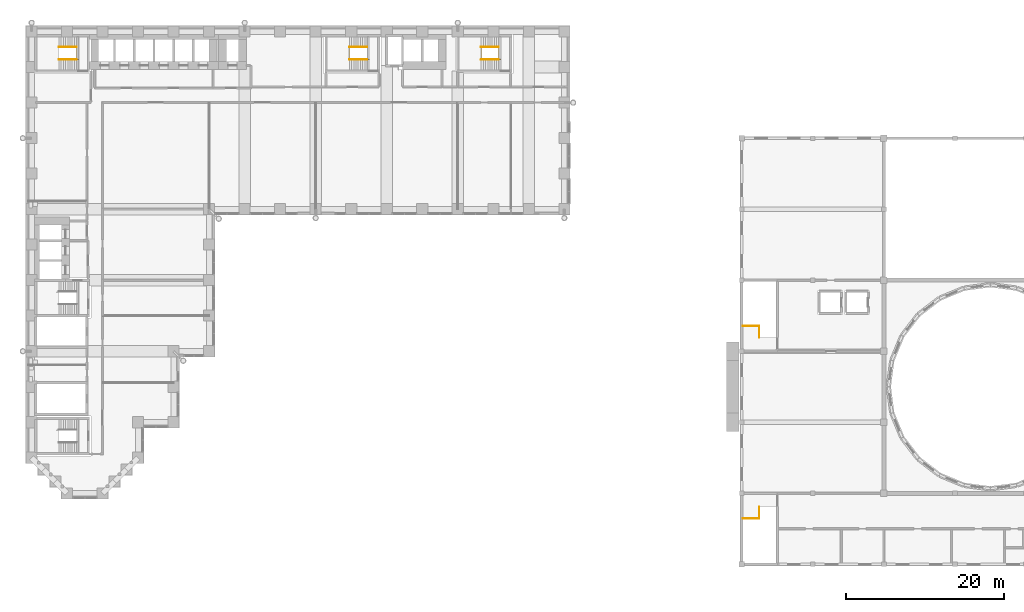
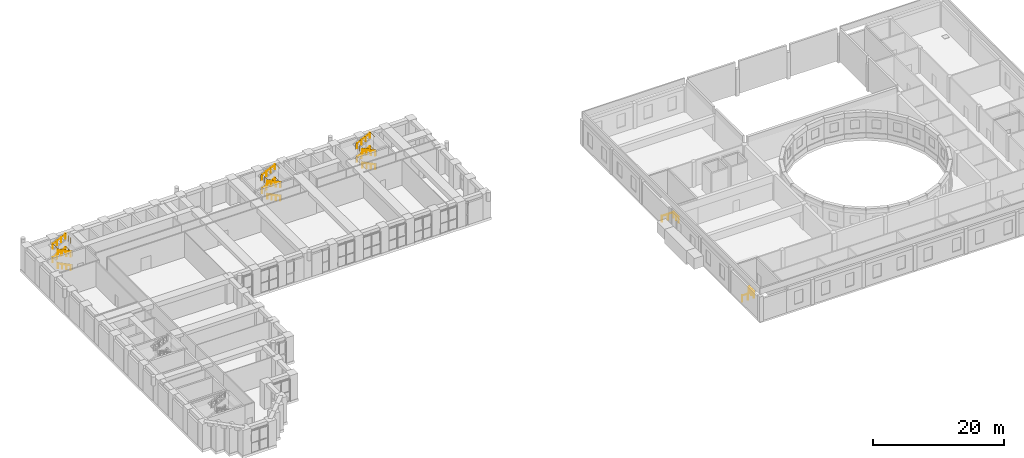
# One storey, part 33 of 35: 19 railings.
"""IFC4 building model written with IfcOpenShell, lengths in metres."""

from ifc_helpers import new_model, si_unit, direction, frame, origin, origin_2d, place, context, subcontext, project, spatial, circle, extrude, material, type_object, element, save


model = new_model("IFC4")

# Units and contexts
model_context = context("Model", 3, precision=1e-05, world=origin(), true_north=direction((0.0, 1.0)))
body_context = subcontext(model_context, "Body", "Model", "MODEL_VIEW")
ifc_project = project(units=[si_unit("LENGTHUNIT", "METRE"), si_unit("AREAUNIT", "SQUARE_METRE"), si_unit("VOLUMEUNIT", "CUBIC_METRE"), si_unit("PLANEANGLEUNIT", "RADIAN"), si_unit("MASSUNIT", "GRAM", prefix="KILO")], contexts=[model_context])

# Site, building, storey
site_placement = place(None, origin())
site = spatial("IfcSite", under=ifc_project, at=site_placement, CompositionType="ELEMENT")
building_placement = place(site_placement, origin())
building = spatial("IfcBuilding", under=site, at=building_placement, Name="Firuza Court", CompositionType="ELEMENT")
storey_placement = place(building_placement, frame((0.0, 0.0, 24.0)))
storey = spatial("IfcBuildingStorey", under=building, at=storey_placement, Name="L04", CompositionType="ELEMENT", Elevation=24.0)

# Railings
ifc_material_1 = material(Name="Steel S355", Category="steel")
railing_type_1 = type_object("IfcRailingType", Name="HALL RAILING 1100", PredefinedType="GUARDRAIL", material=ifc_material_1)
railing_1_placement = place(storey_placement, frame((92.199951171875, -1.699951171875, 0.0)))
element("IfcRailing", 1, at=railing_1_placement, inside=storey, type_object=railing_type_1, Name="Stair H1 floor guard L04", PredefinedType="GUARDRAIL", context=body_context, shape_type="SweptSolid", body=[
    extrude(circle(Radius=0.02392578125, at=origin_2d()), frame((0.0, 0.0, 1.076171875), z_axis=(0.0, -1.0, 0.0), x_axis=(1.0, 0.0, 0.0)), (0.0, 0.0, 1.0), 1.5),
    extrude(circle(Radius=0.02099609375, at=origin_2d()), origin(), (0.0, 0.0, 1.0), 1.052001953125),
    extrude(circle(Radius=0.02099609375, at=origin_2d()), frame((0.0, -0.75, 0.0)), (0.0, 0.0, 1.0), 1.052001953125),
    extrude(circle(Radius=0.02099609375, at=origin_2d()), frame((0.0, -1.5, 0.0)), (0.0, 0.0, 1.0), 1.052001953125),
])
railing_2_placement = place(storey_placement, frame((92.199951171875, 19.699951171875, 0.0)))
element("IfcRailing", 2, at=railing_2_placement, inside=storey, type_object=railing_type_1, Name="Stair H3 floor guard L04", PredefinedType="GUARDRAIL", context=body_context, shape_type="SweptSolid", body=[
    extrude(circle(Radius=0.02392578125, at=origin_2d()), frame((0.0, 0.0, 1.076171875), z_axis=(0.0, 1.0, 0.0), x_axis=(-1.0, 0.0, 0.0)), (0.0, 0.0, 1.0), 1.5),
    extrude(circle(Radius=0.02099609375, at=origin_2d()), origin(), (0.0, 0.0, 1.0), 1.052001953125),
    extrude(circle(Radius=0.02099609375, at=origin_2d()), frame((0.0, 0.75, 0.0)), (0.0, 0.0, 1.0), 1.052001953125),
    extrude(circle(Radius=0.02099609375, at=origin_2d()), frame((0.0, 1.5, 0.0)), (0.0, 0.0, 1.0), 1.052001953125),
])
for number, where, name in (
    (3, (90.125, -3.199951171875, 0.0), "Stair H1 guard"),
    (4, (90.125, 21.199951171875, 0.0), "Stair H3 guard"),
):
    element("IfcRailing", number, at=place(storey_placement, frame(where)), inside=storey, type_object=railing_type_1, Name=name, PredefinedType="GUARDRAIL", context=body_context, shape_type="SweptSolid", body=[
        extrude(circle(Radius=0.02392578125, at=origin_2d()), frame((0.0, 0.0, 1.076171875), z_axis=(1.0, 0.0, 0.0), x_axis=(0.0, 1.0, 0.0)), (0.0, 0.0, 1.0), 2.074951171875),
        extrude(circle(Radius=0.02099609375, at=origin_2d()), origin(), (0.0, 0.0, 1.0), 1.052001953125),
        extrude(circle(Radius=0.02099609375, at=origin_2d()), frame((1.03759765625, 0.0, 0.0)), (0.0, 0.0, 1.0), 1.052001953125),
        extrude(circle(Radius=0.02099609375, at=origin_2d()), frame((2.074951171875, 0.0, 0.0)), (0.0, 0.0, 1.0), 1.052001953125),
    ])
ifc_material_2 = material(Name="Steel S355", Category="steel")
railing_type_2 = type_object("IfcRailingType", Name="Handrail 900", PredefinedType="HANDRAIL", material=ifc_material_2)
railing_3_placement = place(storey_placement, frame((42.5, 54.949951171875, 0.138916015625)))
element("IfcRailing", 5, at=railing_3_placement, inside=storey, type_object=railing_type_2, Name="Handrail S1 flight 1", PredefinedType="HANDRAIL", context=body_context, shape_type="SweptSolid", body=[
    extrude(circle(Radius=0.02490234375, at=origin_2d()), frame((0.0, 0.0, 0.875), z_axis=(-0.895848192791, 0.0, 0.444360231651), x_axis=(0.0, -1.0, 0.0)), (0.0, 0.0, 1.0), 2.50048828125),
    extrude(circle(Radius=0.02001953125, at=origin_2d()), origin(), (0.0, 0.0, 1.0), 0.849853515625),
    extrude(circle(Radius=0.02001953125, at=origin_2d()), frame((-0.74658203125, 0.0, 0.370361328125)), (0.0, 0.0, 1.0), 0.849853515625),
    extrude(circle(Radius=0.02001953125, at=origin_2d()), frame((-1.493408203125, 0.0, 0.74072265625)), (0.0, 0.0, 1.0), 0.849853515625),
    extrude(circle(Radius=0.02001953125, at=origin_2d()), frame((-2.239990234375, 0.0, 1.111083984375)), (0.0, 0.0, 1.0), 0.849853515625),
])
railing_4_placement = place(storey_placement, frame((40.260009765625, 56.550048828125, 1.388916015625)))
element("IfcRailing", 6, at=railing_4_placement, inside=storey, type_object=railing_type_2, Name="Handrail S1 flight 2", PredefinedType="HANDRAIL", context=body_context, shape_type="SweptSolid", body=[
    extrude(circle(Radius=0.02490234375, at=origin_2d()), frame((0.0, 0.0, 0.875), z_axis=(0.895848192791, 0.0, 0.444360231651), x_axis=(0.0, 1.0, 0.0)), (0.0, 0.0, 1.0), 2.50048828125),
    extrude(circle(Radius=0.02001953125, at=origin_2d()), origin(), (0.0, 0.0, 1.0), 0.849853515625),
    extrude(circle(Radius=0.02001953125, at=origin_2d()), frame((0.74658203125, 0.0, 0.370361328125)), (0.0, 0.0, 1.0), 0.849853515625),
    extrude(circle(Radius=0.02001953125, at=origin_2d()), frame((1.493408203125, 0.0, 0.74072265625)), (0.0, 0.0, 1.0), 0.849853515625),
    extrude(circle(Radius=0.02001953125, at=origin_2d()), frame((2.239990234375, 0.0, 1.111083984375)), (0.0, 0.0, 1.0), 0.849853515625),
])
railing_5_placement = place(storey_placement, frame((42.5, 54.949951171875, 2.638916015625)))
element("IfcRailing", 7, at=railing_5_placement, inside=storey, type_object=railing_type_2, Name="Handrail S1 flight 3", PredefinedType="HANDRAIL", context=body_context, shape_type="SweptSolid", body=[
    extrude(circle(Radius=0.02490234375, at=origin_2d()), frame((0.0, 0.0, 0.875), z_axis=(-0.895848192791, 0.0, 0.444360231651), x_axis=(0.0, -1.0, 0.0)), (0.0, 0.0, 1.0), 2.50048828125),
    extrude(circle(Radius=0.02001953125, at=origin_2d()), origin(), (0.0, 0.0, 1.0), 0.849853515625),
    extrude(circle(Radius=0.02001953125, at=origin_2d()), frame((-0.74658203125, 0.0, 0.370361328125)), (0.0, 0.0, 1.0), 0.849853515625),
    extrude(circle(Radius=0.02001953125, at=origin_2d()), frame((-1.493408203125, 0.0, 0.74072265625)), (0.0, 0.0, 1.0), 0.849853515625),
    extrude(circle(Radius=0.02001953125, at=origin_2d()), frame((-2.239990234375, 0.0, 1.111083984375)), (0.0, 0.0, 1.0), 0.849853515625),
])
railing_6_placement = place(storey_placement, frame((40.260009765625, 56.550048828125, 3.888916015625)))
element("IfcRailing", 8, at=railing_6_placement, inside=storey, type_object=railing_type_2, Name="Handrail S1 flight 4", PredefinedType="HANDRAIL", context=body_context, shape_type="SweptSolid", body=[
    extrude(circle(Radius=0.02490234375, at=origin_2d()), frame((0.0, 0.0, 0.875), z_axis=(0.895848192791, 0.0, 0.444360231651), x_axis=(0.0, 1.0, 0.0)), (0.0, 0.0, 1.0), 2.50048828125),
    extrude(circle(Radius=0.02001953125, at=origin_2d()), origin(), (0.0, 0.0, 1.0), 0.849853515625),
    extrude(circle(Radius=0.02001953125, at=origin_2d()), frame((0.74658203125, 0.0, 0.370361328125)), (0.0, 0.0, 1.0), 0.849853515625),
    extrude(circle(Radius=0.02001953125, at=origin_2d()), frame((1.493408203125, 0.0, 0.74072265625)), (0.0, 0.0, 1.0), 0.849853515625),
    extrude(circle(Radius=0.02001953125, at=origin_2d()), frame((2.239990234375, 0.0, 1.111083984375)), (0.0, 0.0, 1.0), 0.849853515625),
])
railing_7_placement = place(storey_placement, frame((5.699951171875, 54.949951171875, 0.138916015625)))
element("IfcRailing", 9, at=railing_7_placement, inside=storey, type_object=railing_type_2, Name="Handrail S3 flight 1", PredefinedType="HANDRAIL", context=body_context, shape_type="SweptSolid", body=[
    extrude(circle(Radius=0.02490234375, at=origin_2d()), frame((0.0, 0.0, 0.875), z_axis=(-0.895848192791, 0.0, 0.444360231651), x_axis=(0.0, -1.0, 0.0)), (0.0, 0.0, 1.0), 2.50048828125),
    extrude(circle(Radius=0.02001953125, at=origin_2d()), origin(), (0.0, 0.0, 1.0), 0.849853515625),
    extrude(circle(Radius=0.02001953125, at=origin_2d()), frame((-0.74658203125, 0.0, 0.370361328125)), (0.0, 0.0, 1.0), 0.849853515625),
    extrude(circle(Radius=0.02001953125, at=origin_2d()), frame((-1.493408203125, 0.0, 0.74072265625)), (0.0, 0.0, 1.0), 0.849853515625),
    extrude(circle(Radius=0.02001953125, at=origin_2d()), frame((-2.239990234375, 0.0, 1.111083984375)), (0.0, 0.0, 1.0), 0.849853515625),
])
railing_8_placement = place(storey_placement, frame((3.4599609375, 56.550048828125, 1.388916015625)))
element("IfcRailing", 10, at=railing_8_placement, inside=storey, type_object=railing_type_2, Name="Handrail S3 flight 2", PredefinedType="HANDRAIL", context=body_context, shape_type="SweptSolid", body=[
    extrude(circle(Radius=0.02490234375, at=origin_2d()), frame((0.0, 0.0, 0.875), z_axis=(0.895848192791, 0.0, 0.444360231651), x_axis=(0.0, 1.0, 0.0)), (0.0, 0.0, 1.0), 2.50048828125),
    extrude(circle(Radius=0.02001953125, at=origin_2d()), origin(), (0.0, 0.0, 1.0), 0.849853515625),
    extrude(circle(Radius=0.02001953125, at=origin_2d()), frame((0.74658203125, 0.0, 0.370361328125)), (0.0, 0.0, 1.0), 0.849853515625),
    extrude(circle(Radius=0.02001953125, at=origin_2d()), frame((1.493408203125, 0.0, 0.74072265625)), (0.0, 0.0, 1.0), 0.849853515625),
    extrude(circle(Radius=0.02001953125, at=origin_2d()), frame((2.239990234375, 0.0, 1.111083984375)), (0.0, 0.0, 1.0), 0.849853515625),
])
railing_9_placement = place(storey_placement, frame((5.699951171875, 54.949951171875, 2.638916015625)))
element("IfcRailing", 11, at=railing_9_placement, inside=storey, type_object=railing_type_2, Name="Handrail S3 flight 3", PredefinedType="HANDRAIL", context=body_context, shape_type="SweptSolid", body=[
    extrude(circle(Radius=0.02490234375, at=origin_2d()), frame((0.0, 0.0, 0.875), z_axis=(-0.895848192791, 0.0, 0.444360231651), x_axis=(0.0, -1.0, 0.0)), (0.0, 0.0, 1.0), 2.50048828125),
    extrude(circle(Radius=0.02001953125, at=origin_2d()), origin(), (0.0, 0.0, 1.0), 0.849853515625),
    extrude(circle(Radius=0.02001953125, at=origin_2d()), frame((-0.74658203125, 0.0, 0.370361328125)), (0.0, 0.0, 1.0), 0.849853515625),
    extrude(circle(Radius=0.02001953125, at=origin_2d()), frame((-1.493408203125, 0.0, 0.74072265625)), (0.0, 0.0, 1.0), 0.849853515625),
    extrude(circle(Radius=0.02001953125, at=origin_2d()), frame((-2.239990234375, 0.0, 1.111083984375)), (0.0, 0.0, 1.0), 0.849853515625),
])
railing_10_placement = place(storey_placement, frame((3.4599609375, 56.550048828125, 3.888916015625)))
element("IfcRailing", 12, at=railing_10_placement, inside=storey, type_object=railing_type_2, Name="Handrail S3 flight 4", PredefinedType="HANDRAIL", context=body_context, shape_type="SweptSolid", body=[
    extrude(circle(Radius=0.02490234375, at=origin_2d()), frame((0.0, 0.0, 0.875), z_axis=(0.895848192791, 0.0, 0.444360231651), x_axis=(0.0, 1.0, 0.0)), (0.0, 0.0, 1.0), 2.50048828125),
    extrude(circle(Radius=0.02001953125, at=origin_2d()), origin(), (0.0, 0.0, 1.0), 0.849853515625),
    extrude(circle(Radius=0.02001953125, at=origin_2d()), frame((0.74658203125, 0.0, 0.370361328125)), (0.0, 0.0, 1.0), 0.849853515625),
    extrude(circle(Radius=0.02001953125, at=origin_2d()), frame((1.493408203125, 0.0, 0.74072265625)), (0.0, 0.0, 1.0), 0.849853515625),
    extrude(circle(Radius=0.02001953125, at=origin_2d()), frame((2.239990234375, 0.0, 1.111083984375)), (0.0, 0.0, 1.0), 0.849853515625),
])
railing_11_placement = place(storey_placement, frame((59.199951171875, 54.949951171875, 0.138916015625)))
element("IfcRailing", 13, at=railing_11_placement, inside=storey, type_object=railing_type_2, Name="Handrail S4 flight 1", PredefinedType="HANDRAIL", context=body_context, shape_type="SweptSolid", body=[
    extrude(circle(Radius=0.02490234375, at=origin_2d()), frame((0.0, 0.0, 0.875), z_axis=(-0.895848192791, 0.0, 0.444360231651), x_axis=(0.0, -1.0, 0.0)), (0.0, 0.0, 1.0), 2.50048828125),
    extrude(circle(Radius=0.02001953125, at=origin_2d()), origin(), (0.0, 0.0, 1.0), 0.849853515625),
    extrude(circle(Radius=0.02001953125, at=origin_2d()), frame((-0.74658203125, 0.0, 0.370361328125)), (0.0, 0.0, 1.0), 0.849853515625),
    extrude(circle(Radius=0.02001953125, at=origin_2d()), frame((-1.493408203125, 0.0, 0.74072265625)), (0.0, 0.0, 1.0), 0.849853515625),
    extrude(circle(Radius=0.02001953125, at=origin_2d()), frame((-2.239990234375, 0.0, 1.111083984375)), (0.0, 0.0, 1.0), 0.849853515625),
])
railing_12_placement = place(storey_placement, frame((56.9599609375, 56.550048828125, 1.388916015625)))
element("IfcRailing", 14, at=railing_12_placement, inside=storey, type_object=railing_type_2, Name="Handrail S4 flight 2", PredefinedType="HANDRAIL", context=body_context, shape_type="SweptSolid", body=[
    extrude(circle(Radius=0.02490234375, at=origin_2d()), frame((0.0, 0.0, 0.875), z_axis=(0.895848192791, 0.0, 0.444360231651), x_axis=(0.0, 1.0, 0.0)), (0.0, 0.0, 1.0), 2.50048828125),
    extrude(circle(Radius=0.02001953125, at=origin_2d()), origin(), (0.0, 0.0, 1.0), 0.849853515625),
    extrude(circle(Radius=0.02001953125, at=origin_2d()), frame((0.74658203125, 0.0, 0.370361328125)), (0.0, 0.0, 1.0), 0.849853515625),
    extrude(circle(Radius=0.02001953125, at=origin_2d()), frame((1.493408203125, 0.0, 0.74072265625)), (0.0, 0.0, 1.0), 0.849853515625),
    extrude(circle(Radius=0.02001953125, at=origin_2d()), frame((2.239990234375, 0.0, 1.111083984375)), (0.0, 0.0, 1.0), 0.849853515625),
])
railing_13_placement = place(storey_placement, frame((59.199951171875, 54.949951171875, 2.638916015625)))
element("IfcRailing", 15, at=railing_13_placement, inside=storey, type_object=railing_type_2, Name="Handrail S4 flight 3", PredefinedType="HANDRAIL", context=body_context, shape_type="SweptSolid", body=[
    extrude(circle(Radius=0.02490234375, at=origin_2d()), frame((0.0, 0.0, 0.875), z_axis=(-0.895848192791, 0.0, 0.444360231651), x_axis=(0.0, -1.0, 0.0)), (0.0, 0.0, 1.0), 2.50048828125),
    extrude(circle(Radius=0.02001953125, at=origin_2d()), origin(), (0.0, 0.0, 1.0), 0.849853515625),
    extrude(circle(Radius=0.02001953125, at=origin_2d()), frame((-0.74658203125, 0.0, 0.370361328125)), (0.0, 0.0, 1.0), 0.849853515625),
    extrude(circle(Radius=0.02001953125, at=origin_2d()), frame((-1.493408203125, 0.0, 0.74072265625)), (0.0, 0.0, 1.0), 0.849853515625),
    extrude(circle(Radius=0.02001953125, at=origin_2d()), frame((-2.239990234375, 0.0, 1.111083984375)), (0.0, 0.0, 1.0), 0.849853515625),
])
railing_14_placement = place(storey_placement, frame((56.9599609375, 56.550048828125, 3.888916015625)))
element("IfcRailing", 16, at=railing_14_placement, inside=storey, type_object=railing_type_2, Name="Handrail S4 flight 4", PredefinedType="HANDRAIL", context=body_context, shape_type="SweptSolid", body=[
    extrude(circle(Radius=0.02490234375, at=origin_2d()), frame((0.0, 0.0, 0.875), z_axis=(0.895848192791, 0.0, 0.444360231651), x_axis=(0.0, 1.0, 0.0)), (0.0, 0.0, 1.0), 2.50048828125),
    extrude(circle(Radius=0.02001953125, at=origin_2d()), origin(), (0.0, 0.0, 1.0), 0.849853515625),
    extrude(circle(Radius=0.02001953125, at=origin_2d()), frame((0.74658203125, 0.0, 0.370361328125)), (0.0, 0.0, 1.0), 0.849853515625),
    extrude(circle(Radius=0.02001953125, at=origin_2d()), frame((1.493408203125, 0.0, 0.74072265625)), (0.0, 0.0, 1.0), 0.849853515625),
    extrude(circle(Radius=0.02001953125, at=origin_2d()), frame((2.239990234375, 0.0, 1.111083984375)), (0.0, 0.0, 1.0), 0.849853515625),
])
ifc_material_3 = material(Name="Steel S355", Category="steel")
railing_type_3 = type_object("IfcRailingType", Name="Stair guard 1100", PredefinedType="GUARDRAIL", material=ifc_material_3)
railing_15_placement = place(storey_placement, frame((42.780029296875, 55.010009765625, 0.0)))
element("IfcRailing", 17, at=railing_15_placement, inside=storey, type_object=railing_type_3, Name="Stair well guard S1", PredefinedType="GUARDRAIL", context=body_context, shape_type="SweptSolid", body=[
    extrude(circle(Radius=0.02490234375, at=origin_2d()), frame((0.0, 0.0, 1.0751953125), z_axis=(-0.89584601627, 0.0, 0.44436461958), x_axis=(0.0, -1.0, 0.0)), (0.0, 0.0, 1.0), 2.81298828125),
    extrude(circle(Radius=0.02490234375, at=origin_2d()), frame((-2.52001953125, 0.0, 2.3251953125), z_axis=(0.0, 1.0, 0.0), x_axis=(-1.0, 0.0, 0.0)), (0.0, 0.0, 1.0), 1.47998046875),
    extrude(circle(Radius=0.02490234375, at=origin_2d()), frame((-2.52001953125, 1.47998046875, 2.3251953125), z_axis=(-1.0, 0.0, 0.0), x_axis=(0.0, -1.0, 0.0)), (0.0, 0.0, 1.0), 0.280029296875),
    extrude(circle(Radius=0.02490234375, at=origin_2d()), frame((-2.800048828125, 1.47998046875, 2.3251953125), z_axis=(0.89584601627, 0.0, 0.44436461958), x_axis=(0.0, 1.0, 0.0)), (0.0, 0.0, 1.0), 2.81298828125),
    extrude(circle(Radius=0.02490234375, at=origin_2d()), frame((-0.280029296875, 1.47998046875, 3.5751953125), z_axis=(0.0, -1.0, 0.0), x_axis=(1.0, 0.0, 0.0)), (0.0, 0.0, 1.0), 1.47998046875),
    extrude(circle(Radius=0.02490234375, at=origin_2d()), frame((-0.280029296875, 0.0, 3.5751953125), z_axis=(1.0, 0.0, 0.0), x_axis=(0.0, 1.0, 0.0)), (0.0, 0.0, 1.0), 0.280029296875),
    extrude(circle(Radius=0.02490234375, at=origin_2d()), frame((0.0, 0.0, 3.5751953125), z_axis=(-0.89584601627, 0.0, 0.44436461958), x_axis=(0.0, -1.0, 0.0)), (0.0, 0.0, 1.0), 2.81298828125),
    extrude(circle(Radius=0.02490234375, at=origin_2d()), frame((-2.52001953125, 0.0, 4.8251953125), z_axis=(0.0, 1.0, 0.0), x_axis=(-1.0, 0.0, 0.0)), (0.0, 0.0, 1.0), 1.47998046875),
    extrude(circle(Radius=0.02490234375, at=origin_2d()), frame((-2.52001953125, 1.47998046875, 4.8251953125), z_axis=(-1.0, 0.0, 0.0), x_axis=(0.0, -1.0, 0.0)), (0.0, 0.0, 1.0), 0.280029296875),
    extrude(circle(Radius=0.02490234375, at=origin_2d()), frame((-2.800048828125, 1.47998046875, 4.8251953125), z_axis=(0.89584601627, 0.0, 0.44436461958), x_axis=(0.0, 1.0, 0.0)), (0.0, 0.0, 1.0), 2.81298828125),
    extrude(circle(Radius=0.02490234375, at=origin_2d()), frame((-0.280029296875, 1.47998046875, 6.0751953125), z_axis=(0.0, -1.0, 0.0), x_axis=(1.0, 0.0, 0.0)), (0.0, 0.0, 1.0), 1.47998046875),
    extrude(circle(Radius=0.02490234375, at=origin_2d()), origin(), (0.0, 0.0, 1.0), 1.050048828125),
    extrude(circle(Radius=0.02490234375, at=origin_2d()), frame((-0.840087890625, 0.0, 0.416748046875)), (0.0, 0.0, 1.0), 1.050048828125),
    extrude(circle(Radius=0.02490234375, at=origin_2d()), frame((-1.679931640625, 0.0, 0.833251953125)), (0.0, 0.0, 1.0), 1.050048828125),
    extrude(circle(Radius=0.02490234375, at=origin_2d()), frame((-2.52001953125, 0.0, 1.25)), (0.0, 0.0, 1.0), 1.050048828125),
    extrude(circle(Radius=0.02490234375, at=origin_2d()), frame((-2.52001953125, 0.739990234375, 1.25)), (0.0, 0.0, 1.0), 1.050048828125),
    extrude(circle(Radius=0.02490234375, at=origin_2d()), frame((-2.52001953125, 1.47998046875, 1.25)), (0.0, 0.0, 1.0), 1.050048828125),
    extrude(circle(Radius=0.02490234375, at=origin_2d()), frame((-2.800048828125, 1.47998046875, 1.25)), (0.0, 0.0, 1.0), 1.050048828125),
    extrude(circle(Radius=0.02490234375, at=origin_2d()), frame((-1.9599609375, 1.47998046875, 1.666748046875)), (0.0, 0.0, 1.0), 1.050048828125),
    extrude(circle(Radius=0.02490234375, at=origin_2d()), frame((-1.1201171875, 1.47998046875, 2.083251953125)), (0.0, 0.0, 1.0), 1.050048828125),
    extrude(circle(Radius=0.02490234375, at=origin_2d()), frame((-0.280029296875, 1.47998046875, 2.5)), (0.0, 0.0, 1.0), 1.050048828125),
    extrude(circle(Radius=0.02490234375, at=origin_2d()), frame((-0.280029296875, 0.739990234375, 2.5)), (0.0, 0.0, 1.0), 1.050048828125),
    extrude(circle(Radius=0.02490234375, at=origin_2d()), frame((-0.280029296875, 0.0, 2.5)), (0.0, 0.0, 1.0), 1.050048828125),
    extrude(circle(Radius=0.02490234375, at=origin_2d()), frame((0.0, 0.0, 2.5)), (0.0, 0.0, 1.0), 1.050048828125),
    extrude(circle(Radius=0.02490234375, at=origin_2d()), frame((-0.840087890625, 0.0, 2.916748046875)), (0.0, 0.0, 1.0), 1.050048828125),
    extrude(circle(Radius=0.02490234375, at=origin_2d()), frame((-1.679931640625, 0.0, 3.333251953125)), (0.0, 0.0, 1.0), 1.050048828125),
    extrude(circle(Radius=0.02490234375, at=origin_2d()), frame((-2.52001953125, 0.0, 3.75)), (0.0, 0.0, 1.0), 1.050048828125),
    extrude(circle(Radius=0.02490234375, at=origin_2d()), frame((-2.52001953125, 0.739990234375, 3.75)), (0.0, 0.0, 1.0), 1.050048828125),
    extrude(circle(Radius=0.02490234375, at=origin_2d()), frame((-2.52001953125, 1.47998046875, 3.75)), (0.0, 0.0, 1.0), 1.050048828125),
    extrude(circle(Radius=0.02490234375, at=origin_2d()), frame((-2.800048828125, 1.47998046875, 3.75)), (0.0, 0.0, 1.0), 1.050048828125),
    extrude(circle(Radius=0.02490234375, at=origin_2d()), frame((-1.9599609375, 1.47998046875, 4.166748046875)), (0.0, 0.0, 1.0), 1.050048828125),
    extrude(circle(Radius=0.02490234375, at=origin_2d()), frame((-1.1201171875, 1.47998046875, 4.583251953125)), (0.0, 0.0, 1.0), 1.050048828125),
    extrude(circle(Radius=0.02490234375, at=origin_2d()), frame((-0.280029296875, 1.47998046875, 5.0)), (0.0, 0.0, 1.0), 1.050048828125),
    extrude(circle(Radius=0.02490234375, at=origin_2d()), frame((-0.280029296875, 0.739990234375, 5.0)), (0.0, 0.0, 1.0), 1.050048828125),
    extrude(circle(Radius=0.02490234375, at=origin_2d()), frame((-0.280029296875, 0.0, 5.0)), (0.0, 0.0, 1.0), 1.050048828125),
])
railing_16_placement = place(storey_placement, frame((5.97998046875, 55.010009765625, 0.0)))
element("IfcRailing", 18, at=railing_16_placement, inside=storey, type_object=railing_type_3, Name="Stair well guard S3", PredefinedType="GUARDRAIL", context=body_context, shape_type="SweptSolid", body=[
    extrude(circle(Radius=0.02490234375, at=origin_2d()), frame((0.0, 0.0, 1.0751953125), z_axis=(-0.89584601627, 0.0, 0.44436461958), x_axis=(0.0, -1.0, 0.0)), (0.0, 0.0, 1.0), 2.81298828125),
    extrude(circle(Radius=0.02490234375, at=origin_2d()), frame((-2.52001953125, 0.0, 2.3251953125), z_axis=(0.0, 1.0, 0.0), x_axis=(-1.0, 0.0, 0.0)), (0.0, 0.0, 1.0), 1.47998046875),
    extrude(circle(Radius=0.02490234375, at=origin_2d()), frame((-2.52001953125, 1.47998046875, 2.3251953125), z_axis=(-1.0, 0.0, 0.0), x_axis=(0.0, -1.0, 0.0)), (0.0, 0.0, 1.0), 0.280029296875),
    extrude(circle(Radius=0.02490234375, at=origin_2d()), frame((-2.800048828125, 1.47998046875, 2.3251953125), z_axis=(0.89584601627, 0.0, 0.44436461958), x_axis=(0.0, 1.0, 0.0)), (0.0, 0.0, 1.0), 2.81298828125),
    extrude(circle(Radius=0.02490234375, at=origin_2d()), frame((-0.280029296875, 1.47998046875, 3.5751953125), z_axis=(0.0, -1.0, 0.0), x_axis=(1.0, 0.0, 0.0)), (0.0, 0.0, 1.0), 1.47998046875),
    extrude(circle(Radius=0.02490234375, at=origin_2d()), frame((-0.280029296875, 0.0, 3.5751953125), z_axis=(1.0, 0.0, 0.0), x_axis=(0.0, 1.0, 0.0)), (0.0, 0.0, 1.0), 0.280029296875),
    extrude(circle(Radius=0.02490234375, at=origin_2d()), frame((0.0, 0.0, 3.5751953125), z_axis=(-0.89584601627, 0.0, 0.44436461958), x_axis=(0.0, -1.0, 0.0)), (0.0, 0.0, 1.0), 2.81298828125),
    extrude(circle(Radius=0.02490234375, at=origin_2d()), frame((-2.52001953125, 0.0, 4.8251953125), z_axis=(0.0, 1.0, 0.0), x_axis=(-1.0, 0.0, 0.0)), (0.0, 0.0, 1.0), 1.47998046875),
    extrude(circle(Radius=0.02490234375, at=origin_2d()), frame((-2.52001953125, 1.47998046875, 4.8251953125), z_axis=(-1.0, 0.0, 0.0), x_axis=(0.0, -1.0, 0.0)), (0.0, 0.0, 1.0), 0.280029296875),
    extrude(circle(Radius=0.02490234375, at=origin_2d()), frame((-2.800048828125, 1.47998046875, 4.8251953125), z_axis=(0.89584601627, 0.0, 0.44436461958), x_axis=(0.0, 1.0, 0.0)), (0.0, 0.0, 1.0), 2.81298828125),
    extrude(circle(Radius=0.02490234375, at=origin_2d()), frame((-0.280029296875, 1.47998046875, 6.0751953125), z_axis=(0.0, -1.0, 0.0), x_axis=(1.0, 0.0, 0.0)), (0.0, 0.0, 1.0), 1.47998046875),
    extrude(circle(Radius=0.02490234375, at=origin_2d()), origin(), (0.0, 0.0, 1.0), 1.050048828125),
    extrude(circle(Radius=0.02490234375, at=origin_2d()), frame((-0.840087890625, 0.0, 0.416748046875)), (0.0, 0.0, 1.0), 1.050048828125),
    extrude(circle(Radius=0.02490234375, at=origin_2d()), frame((-1.679931640625, 0.0, 0.833251953125)), (0.0, 0.0, 1.0), 1.050048828125),
    extrude(circle(Radius=0.02490234375, at=origin_2d()), frame((-2.52001953125, 0.0, 1.25)), (0.0, 0.0, 1.0), 1.050048828125),
    extrude(circle(Radius=0.02490234375, at=origin_2d()), frame((-2.52001953125, 0.739990234375, 1.25)), (0.0, 0.0, 1.0), 1.050048828125),
    extrude(circle(Radius=0.02490234375, at=origin_2d()), frame((-2.52001953125, 1.47998046875, 1.25)), (0.0, 0.0, 1.0), 1.050048828125),
    extrude(circle(Radius=0.02490234375, at=origin_2d()), frame((-2.800048828125, 1.47998046875, 1.25)), (0.0, 0.0, 1.0), 1.050048828125),
    extrude(circle(Radius=0.02490234375, at=origin_2d()), frame((-1.9599609375, 1.47998046875, 1.666748046875)), (0.0, 0.0, 1.0), 1.050048828125),
    extrude(circle(Radius=0.02490234375, at=origin_2d()), frame((-1.1201171875, 1.47998046875, 2.083251953125)), (0.0, 0.0, 1.0), 1.050048828125),
    extrude(circle(Radius=0.02490234375, at=origin_2d()), frame((-0.280029296875, 1.47998046875, 2.5)), (0.0, 0.0, 1.0), 1.050048828125),
    extrude(circle(Radius=0.02490234375, at=origin_2d()), frame((-0.280029296875, 0.739990234375, 2.5)), (0.0, 0.0, 1.0), 1.050048828125),
    extrude(circle(Radius=0.02490234375, at=origin_2d()), frame((-0.280029296875, 0.0, 2.5)), (0.0, 0.0, 1.0), 1.050048828125),
    extrude(circle(Radius=0.02490234375, at=origin_2d()), frame((0.0, 0.0, 2.5)), (0.0, 0.0, 1.0), 1.050048828125),
    extrude(circle(Radius=0.02490234375, at=origin_2d()), frame((-0.840087890625, 0.0, 2.916748046875)), (0.0, 0.0, 1.0), 1.050048828125),
    extrude(circle(Radius=0.02490234375, at=origin_2d()), frame((-1.679931640625, 0.0, 3.333251953125)), (0.0, 0.0, 1.0), 1.050048828125),
    extrude(circle(Radius=0.02490234375, at=origin_2d()), frame((-2.52001953125, 0.0, 3.75)), (0.0, 0.0, 1.0), 1.050048828125),
    extrude(circle(Radius=0.02490234375, at=origin_2d()), frame((-2.52001953125, 0.739990234375, 3.75)), (0.0, 0.0, 1.0), 1.050048828125),
    extrude(circle(Radius=0.02490234375, at=origin_2d()), frame((-2.52001953125, 1.47998046875, 3.75)), (0.0, 0.0, 1.0), 1.050048828125),
    extrude(circle(Radius=0.02490234375, at=origin_2d()), frame((-2.800048828125, 1.47998046875, 3.75)), (0.0, 0.0, 1.0), 1.050048828125),
    extrude(circle(Radius=0.02490234375, at=origin_2d()), frame((-1.9599609375, 1.47998046875, 4.166748046875)), (0.0, 0.0, 1.0), 1.050048828125),
    extrude(circle(Radius=0.02490234375, at=origin_2d()), frame((-1.1201171875, 1.47998046875, 4.583251953125)), (0.0, 0.0, 1.0), 1.050048828125),
    extrude(circle(Radius=0.02490234375, at=origin_2d()), frame((-0.280029296875, 1.47998046875, 5.0)), (0.0, 0.0, 1.0), 1.050048828125),
    extrude(circle(Radius=0.02490234375, at=origin_2d()), frame((-0.280029296875, 0.739990234375, 5.0)), (0.0, 0.0, 1.0), 1.050048828125),
    extrude(circle(Radius=0.02490234375, at=origin_2d()), frame((-0.280029296875, 0.0, 5.0)), (0.0, 0.0, 1.0), 1.050048828125),
])
railing_17_placement = place(storey_placement, frame((59.47998046875, 55.010009765625, 0.0)))
element("IfcRailing", 19, at=railing_17_placement, inside=storey, type_object=railing_type_3, Name="Stair well guard S4", PredefinedType="GUARDRAIL", context=body_context, shape_type="SweptSolid", body=[
    extrude(circle(Radius=0.02490234375, at=origin_2d()), frame((0.0, 0.0, 1.0751953125), z_axis=(-0.89584601627, 0.0, 0.44436461958), x_axis=(0.0, -1.0, 0.0)), (0.0, 0.0, 1.0), 2.81298828125),
    extrude(circle(Radius=0.02490234375, at=origin_2d()), frame((-2.52001953125, 0.0, 2.3251953125), z_axis=(0.0, 1.0, 0.0), x_axis=(-1.0, 0.0, 0.0)), (0.0, 0.0, 1.0), 1.47998046875),
    extrude(circle(Radius=0.02490234375, at=origin_2d()), frame((-2.52001953125, 1.47998046875, 2.3251953125), z_axis=(-1.0, 0.0, 0.0), x_axis=(0.0, -1.0, 0.0)), (0.0, 0.0, 1.0), 0.280029296875),
    extrude(circle(Radius=0.02490234375, at=origin_2d()), frame((-2.800048828125, 1.47998046875, 2.3251953125), z_axis=(0.89584601627, 0.0, 0.44436461958), x_axis=(0.0, 1.0, 0.0)), (0.0, 0.0, 1.0), 2.81298828125),
    extrude(circle(Radius=0.02490234375, at=origin_2d()), frame((-0.280029296875, 1.47998046875, 3.5751953125), z_axis=(0.0, -1.0, 0.0), x_axis=(1.0, 0.0, 0.0)), (0.0, 0.0, 1.0), 1.47998046875),
    extrude(circle(Radius=0.02490234375, at=origin_2d()), frame((-0.280029296875, 0.0, 3.5751953125), z_axis=(1.0, 0.0, 0.0), x_axis=(0.0, 1.0, 0.0)), (0.0, 0.0, 1.0), 0.280029296875),
    extrude(circle(Radius=0.02490234375, at=origin_2d()), frame((0.0, 0.0, 3.5751953125), z_axis=(-0.89584601627, 0.0, 0.44436461958), x_axis=(0.0, -1.0, 0.0)), (0.0, 0.0, 1.0), 2.81298828125),
    extrude(circle(Radius=0.02490234375, at=origin_2d()), frame((-2.52001953125, 0.0, 4.8251953125), z_axis=(0.0, 1.0, 0.0), x_axis=(-1.0, 0.0, 0.0)), (0.0, 0.0, 1.0), 1.47998046875),
    extrude(circle(Radius=0.02490234375, at=origin_2d()), frame((-2.52001953125, 1.47998046875, 4.8251953125), z_axis=(-1.0, 0.0, 0.0), x_axis=(0.0, -1.0, 0.0)), (0.0, 0.0, 1.0), 0.280029296875),
    extrude(circle(Radius=0.02490234375, at=origin_2d()), frame((-2.800048828125, 1.47998046875, 4.8251953125), z_axis=(0.89584601627, 0.0, 0.44436461958), x_axis=(0.0, 1.0, 0.0)), (0.0, 0.0, 1.0), 2.81298828125),
    extrude(circle(Radius=0.02490234375, at=origin_2d()), frame((-0.280029296875, 1.47998046875, 6.0751953125), z_axis=(0.0, -1.0, 0.0), x_axis=(1.0, 0.0, 0.0)), (0.0, 0.0, 1.0), 1.47998046875),
    extrude(circle(Radius=0.02490234375, at=origin_2d()), origin(), (0.0, 0.0, 1.0), 1.050048828125),
    extrude(circle(Radius=0.02490234375, at=origin_2d()), frame((-0.840087890625, 0.0, 0.416748046875)), (0.0, 0.0, 1.0), 1.050048828125),
    extrude(circle(Radius=0.02490234375, at=origin_2d()), frame((-1.679931640625, 0.0, 0.833251953125)), (0.0, 0.0, 1.0), 1.050048828125),
    extrude(circle(Radius=0.02490234375, at=origin_2d()), frame((-2.52001953125, 0.0, 1.25)), (0.0, 0.0, 1.0), 1.050048828125),
    extrude(circle(Radius=0.02490234375, at=origin_2d()), frame((-2.52001953125, 0.739990234375, 1.25)), (0.0, 0.0, 1.0), 1.050048828125),
    extrude(circle(Radius=0.02490234375, at=origin_2d()), frame((-2.52001953125, 1.47998046875, 1.25)), (0.0, 0.0, 1.0), 1.050048828125),
    extrude(circle(Radius=0.02490234375, at=origin_2d()), frame((-2.800048828125, 1.47998046875, 1.25)), (0.0, 0.0, 1.0), 1.050048828125),
    extrude(circle(Radius=0.02490234375, at=origin_2d()), frame((-1.9599609375, 1.47998046875, 1.666748046875)), (0.0, 0.0, 1.0), 1.050048828125),
    extrude(circle(Radius=0.02490234375, at=origin_2d()), frame((-1.1201171875, 1.47998046875, 2.083251953125)), (0.0, 0.0, 1.0), 1.050048828125),
    extrude(circle(Radius=0.02490234375, at=origin_2d()), frame((-0.280029296875, 1.47998046875, 2.5)), (0.0, 0.0, 1.0), 1.050048828125),
    extrude(circle(Radius=0.02490234375, at=origin_2d()), frame((-0.280029296875, 0.739990234375, 2.5)), (0.0, 0.0, 1.0), 1.050048828125),
    extrude(circle(Radius=0.02490234375, at=origin_2d()), frame((-0.280029296875, 0.0, 2.5)), (0.0, 0.0, 1.0), 1.050048828125),
    extrude(circle(Radius=0.02490234375, at=origin_2d()), frame((0.0, 0.0, 2.5)), (0.0, 0.0, 1.0), 1.050048828125),
    extrude(circle(Radius=0.02490234375, at=origin_2d()), frame((-0.840087890625, 0.0, 2.916748046875)), (0.0, 0.0, 1.0), 1.050048828125),
    extrude(circle(Radius=0.02490234375, at=origin_2d()), frame((-1.679931640625, 0.0, 3.333251953125)), (0.0, 0.0, 1.0), 1.050048828125),
    extrude(circle(Radius=0.02490234375, at=origin_2d()), frame((-2.52001953125, 0.0, 3.75)), (0.0, 0.0, 1.0), 1.050048828125),
    extrude(circle(Radius=0.02490234375, at=origin_2d()), frame((-2.52001953125, 0.739990234375, 3.75)), (0.0, 0.0, 1.0), 1.050048828125),
    extrude(circle(Radius=0.02490234375, at=origin_2d()), frame((-2.52001953125, 1.47998046875, 3.75)), (0.0, 0.0, 1.0), 1.050048828125),
    extrude(circle(Radius=0.02490234375, at=origin_2d()), frame((-2.800048828125, 1.47998046875, 3.75)), (0.0, 0.0, 1.0), 1.050048828125),
    extrude(circle(Radius=0.02490234375, at=origin_2d()), frame((-1.9599609375, 1.47998046875, 4.166748046875)), (0.0, 0.0, 1.0), 1.050048828125),
    extrude(circle(Radius=0.02490234375, at=origin_2d()), frame((-1.1201171875, 1.47998046875, 4.583251953125)), (0.0, 0.0, 1.0), 1.050048828125),
    extrude(circle(Radius=0.02490234375, at=origin_2d()), frame((-0.280029296875, 1.47998046875, 5.0)), (0.0, 0.0, 1.0), 1.050048828125),
    extrude(circle(Radius=0.02490234375, at=origin_2d()), frame((-0.280029296875, 0.739990234375, 5.0)), (0.0, 0.0, 1.0), 1.050048828125),
    extrude(circle(Radius=0.02490234375, at=origin_2d()), frame((-0.280029296875, 0.0, 5.0)), (0.0, 0.0, 1.0), 1.050048828125),
])

save(model, "model.ifc")
